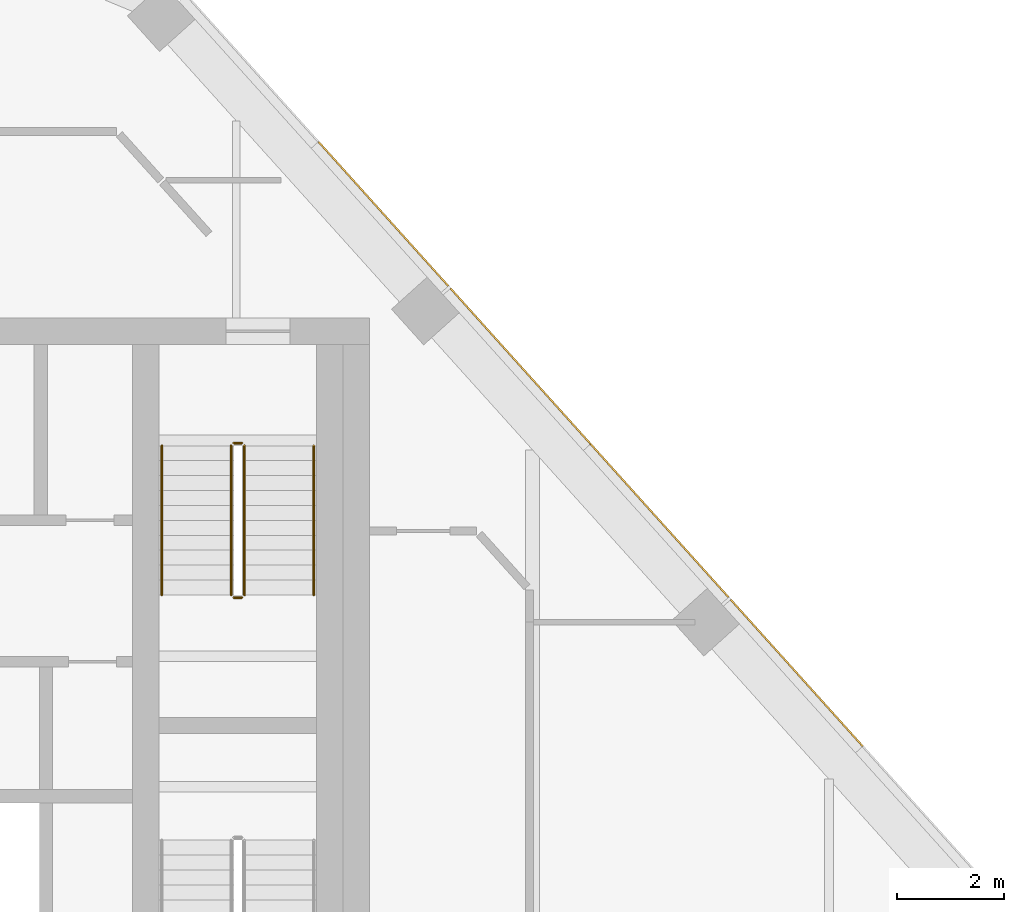
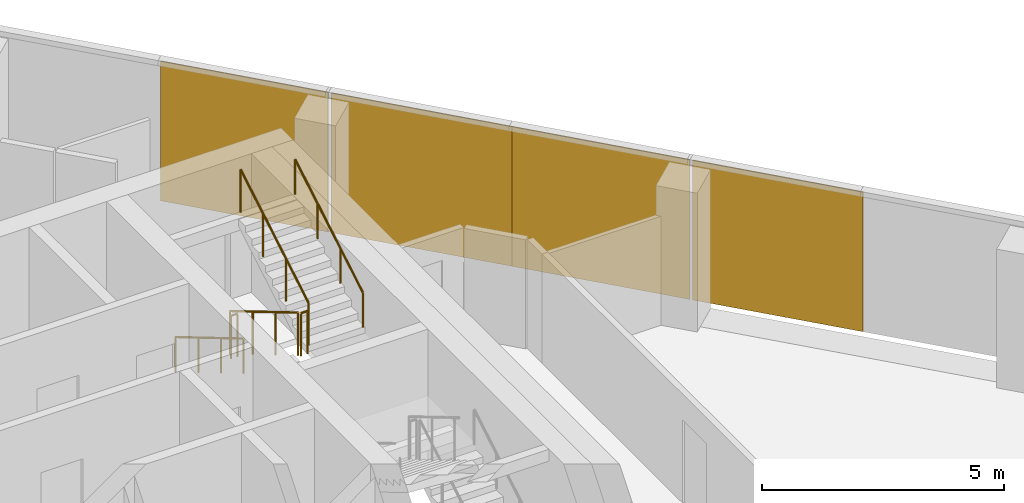
# One storey, part 15 of 15: 6 railings, 4 coverings, 1 element without a shape of its own.
"""IFC4 building model written with IfcOpenShell, lengths in metres."""

import ifcopenshell
import ifcopenshell.guid

model = None  # the IFC model being written
_history = None  # IfcOwnerHistory: only IFC2X3 demands one
_inside = {}  # id of a spatial element -> (the spatial element, [elements in it])
_under = {}  # id of a project, library or spatial element -> (it, [spatial elements below it])
_declared = {}  # id of a project -> (the project, [libraries it declares])
_typed = {}  # id of a type object -> (the type object, [elements of that type])
_made_of = {}  # id of a material, layer set ... -> (it, [elements and type objects made of it])


def new_model(schema):
    """Start an empty IFC model of exactly this schema.

    Asked for "IFC4X3", IfcOpenShell would pick the latest addendum, in which some entities
    have other attributes; the version numbers below select the first issue.
    IFC2X3 requires an IfcOwnerHistory on every rooted entity: one is made here for all.
    """
    global model, _history
    if schema == "IFC4X3":
        model = ifcopenshell.file(schema_version=(4, 3, 0, 0))
    else:
        model = ifcopenshell.file(schema=schema)
    _inside.clear()
    _under.clear()
    _declared.clear()
    _typed.clear()
    _made_of.clear()
    _history = None
    if model.schema == "IFC2X3":
        org = make("IfcOrganization", Name="unknown")
        user = make(
            "IfcPersonAndOrganization",
            ThePerson=make("IfcPerson", FamilyName="unknown"),
            TheOrganization=org,
        )
        app = make(
            "IfcApplication",
            ApplicationDeveloper=org,
            Version="unknown",
            ApplicationFullName="unknown",
            ApplicationIdentifier="unknown",
        )
        _history = make(
            "IfcOwnerHistory",
            OwningUser=user,
            OwningApplication=app,
            ChangeAction="ADDED",
            CreationDate=0,
        )
    return model


def make(cls, **values):
    """One entity of the class cls with the attributes given. An attribute that is None is left unset."""
    return model.create_entity(
        cls, **{name: value for name, value in values.items() if value is not None}
    )


def rooted(cls, **values):
    """An entity with a GlobalId (a new one), such as an element, a storey or a relation."""
    return make(cls, GlobalId=ifcopenshell.guid.new(), OwnerHistory=_history, **values)


def si_unit(unit_type, name, prefix=None):
    """IfcSIUnit, for example si_unit("LENGTHUNIT", "METRE", prefix="MILLI")."""
    return make("IfcSIUnit", UnitType=unit_type, Prefix=prefix, Name=name)


def assignment(units):
    """IfcUnitAssignment: the units of a project."""
    return None if units is None else make("IfcUnitAssignment", Units=units)


def point(xyz):
    """IfcCartesianPoint."""
    return None if xyz is None else make("IfcCartesianPoint", Coordinates=xyz)


def direction(xyz):
    """IfcDirection."""
    return None if xyz is None else make("IfcDirection", DirectionRatios=xyz)


def frame(location, z_axis=None, x_axis=None):
    """IfcAxis2Placement3D, a coordinate frame: its origin and axes. An axis left out is left unset."""
    return make(
        "IfcAxis2Placement3D",
        Location=point(location),
        Axis=direction(z_axis),
        RefDirection=direction(x_axis),
    )


def frame_2d(location, x_axis=None):
    """IfcAxis2Placement2D, a coordinate frame in the plane: its origin and x axis."""
    return make(
        "IfcAxis2Placement2D", Location=point(location), RefDirection=direction(x_axis)
    )


def origin():
    """The frame at (0, 0, 0) with its axes left unset."""
    return frame((0.0, 0.0, 0.0))


def origin_2d():
    """The frame at (0, 0) in the plane with its x axis left unset."""
    return frame_2d((0.0, 0.0))


def place(relative_to, where):
    """IfcLocalPlacement: puts the frame where relative to a parent placement (None: the world)."""
    return make(
        "IfcLocalPlacement", PlacementRelTo=relative_to, RelativePlacement=where
    )


def context(
    kind, dimensions, precision=None, world=None, true_north=None, identifier=None
):
    """IfcGeometricRepresentationContext, for example the 3D "Model" context."""
    return make(
        "IfcGeometricRepresentationContext",
        ContextIdentifier=identifier,
        ContextType=kind,
        CoordinateSpaceDimension=dimensions,
        Precision=precision,
        WorldCoordinateSystem=world,
        TrueNorth=true_north,
    )


def subcontext(parent, identifier, kind, view, scale=None):
    """IfcGeometricRepresentationSubContext, for example "Body" below "Model"."""
    return make(
        "IfcGeometricRepresentationSubContext",
        ContextIdentifier=identifier,
        ContextType=kind,
        ParentContext=parent,
        TargetScale=scale,
        TargetView=view,
    )


def project(units=None, contexts=None):
    """IfcProject with its units and contexts."""
    return rooted(
        "IfcProject",
        Name="project",
        RepresentationContexts=contexts,
        UnitsInContext=assignment(units),
    )


def spatial(cls, under=None, at=None, **own):
    """A site, building, storey or space (cls), placed at a placement, below another one or the project."""
    s = rooted(cls, ObjectPlacement=at, **own)
    if under is not None:
        _under.setdefault(under.id(), (under, []))[1].append(s)
    return s


def profile(cls, at=None, kind="AREA", **sizes):
    """A parametric profile (cls). Its sizes go by their IFC names, for example OverallWidth=200.0."""
    return make(cls, ProfileType=kind, Position=at, **sizes)


def rectangle(**sizes):
    """IfcRectangleProfileDef."""
    return profile("IfcRectangleProfileDef", **sizes)


def circle(**sizes):
    """IfcCircleProfileDef."""
    return profile("IfcCircleProfileDef", **sizes)


def extrude(swept, where, along, depth):
    """IfcExtrudedAreaSolid: the profile swept, set in the frame where, extruded along a direction by depth."""
    return make(
        "IfcExtrudedAreaSolid",
        SweptArea=swept,
        Position=where,
        ExtrudedDirection=direction(along),
        Depth=depth,
    )


def shape(context_of_items, identifier, shape_type, items):
    """IfcShapeRepresentation: the items that make up one representation, for example the "Body"."""
    return make(
        "IfcShapeRepresentation",
        ContextOfItems=context_of_items,
        RepresentationIdentifier=identifier,
        RepresentationType=shape_type,
        Items=items,
    )


def material(Name=None, Category=None):
    """IfcMaterial."""
    return make("IfcMaterial", Name=Name, Category=Category)


def layer(
    of_material, thickness, ventilated=None, Name=None, Category=None, Priority=None
):
    """IfcMaterialLayer: one layer of a wall or slab, of a material (None: an air gap)."""
    return make(
        "IfcMaterialLayer",
        Material=of_material,
        LayerThickness=thickness,
        IsVentilated=ventilated,
        Name=Name,
        Category=Category,
        Priority=Priority,
    )


def layer_set(layers, Name=None):
    """IfcMaterialLayerSet."""
    return make("IfcMaterialLayerSet", MaterialLayers=layers, LayerSetName=Name)


def made_of(thing, what):
    """Note that an element or type object is made of a material, layer set ...; save() writes the relation."""
    if what is not None:
        _made_of.setdefault(what.id(), (what, []))[1].append(thing)
    return thing


def type_object(cls, material=None, **own):
    """A type object (cls), such as IfcWallType, which elements share."""
    return made_of(rooted(cls, **own), material)


def element(
    cls,
    number,
    at=None,
    inside=None,
    cuts=None,
    type_object=None,
    material=None,
    context=None,
    identifier="Body",
    shape_type=None,
    held_by="IfcProductDefinitionShape",
    body=None,
    shapes=None,
    **own,
):
    """One element of the class cls, such as IfcWall. Its Tag is "e" and its number.

    at: its placement. inside: the storey or other place that contains it. cuts: it is an
    opening in that element (IfcRelVoidsElement). A single representation is given by context,
    identifier, shape_type and body (its items); several are given by shapes. held_by: the class
    of the entity that holds the representations. save() writes the other relations.
    """
    e = rooted(cls, Tag="e%d" % number, ObjectPlacement=at, **own)
    if body is not None:
        shapes = [shape(context, identifier, shape_type, body)]
    if shapes is not None:
        e.Representation = make(held_by, Representations=shapes)
    if inside is not None:
        _inside.setdefault(inside.id(), (inside, []))[1].append(e)
    if cuts is not None:
        rooted(
            "IfcRelVoidsElement", RelatingBuildingElement=cuts, RelatedOpeningElement=e
        )
    if type_object is not None:
        _typed.setdefault(type_object.id(), (type_object, []))[1].append(e)
    return made_of(e, material)


def aggregate(whole, parts):
    """IfcRelAggregates: a whole, such as a stair, and the parts it consists of."""
    return rooted("IfcRelAggregates", RelatingObject=whole, RelatedObjects=parts)


def save(model, path):
    """Write the relations noted so far, then the file.

    IfcRelAggregates (storeys below a building ...), IfcRelContainedInSpatialStructure (elements
    in a storey), IfcRelDefinesByType, IfcRelAssociatesMaterial and IfcRelDeclares: one each for
    every whole, place, type object, material and project.
    """
    for whole, parts in _under.values():
        aggregate(whole, parts)
    for where, things in _inside.values():
        rooted(
            "IfcRelContainedInSpatialStructure",
            RelatedElements=things,
            RelatingStructure=where,
        )
    for kind, things in _typed.values():
        rooted("IfcRelDefinesByType", RelatedObjects=things, RelatingType=kind)
    for what, things in _made_of.values():
        rooted("IfcRelAssociatesMaterial", RelatedObjects=things, RelatingMaterial=what)
    for by, libraries in _declared.values():
        rooted("IfcRelDeclares", RelatingContext=by, RelatedDefinitions=libraries)
    model.write(path)


model = new_model("IFC4")

# Units and contexts
model_context = context("Model", 3, precision=1e-05, world=origin(), true_north=direction((0.0, 1.0)))
body_context = subcontext(model_context, "Body", "Model", "MODEL_VIEW")
ifc_project = project(units=[si_unit("LENGTHUNIT", "METRE"), si_unit("AREAUNIT", "SQUARE_METRE"), si_unit("VOLUMEUNIT", "CUBIC_METRE"), si_unit("PLANEANGLEUNIT", "RADIAN"), si_unit("MASSUNIT", "GRAM", prefix="KILO")], contexts=[model_context])

# Site, building, storey
site_placement = place(None, origin())
site = spatial("IfcSite", under=ifc_project, at=site_placement, CompositionType="ELEMENT")
building_placement = place(site_placement, origin())
building = spatial("IfcBuilding", under=site, at=building_placement, Name="Isthmus Gate Tower", CompositionType="ELEMENT")
storey_placement = place(building_placement, frame((0.0, 0.0, 282.85009765625)))
storey = spatial("IfcBuildingStorey", under=building, at=storey_placement, Name="L72", CompositionType="ELEMENT", Elevation=282.85009765625)

# Curtain wall, coverings
ifc_material_1 = material(Name="Aluminium, pale champagne anodised", Category="aluminium")
ifc_layer_1 = layer(ifc_material_1, 0.199951171875)
ifc_layer_set_1 = layer_set([ifc_layer_1], Name="CW-1 UNITISED CURTAIN WALL 200 DEEP")
curtain_wall_type = type_object("IfcCurtainWallType", Name="CW-1 UNITISED CURTAIN WALL 200 DEEP", PredefinedType="NOTDEFINED", material=ifc_layer_set_1)
curtain_wall_placement = place(storey_placement, origin())
curtain_wall = element("IfcCurtainWall", 1, at=curtain_wall_placement, inside=storey, type_object=curtain_wall_type, Name="CW-1 NE L72", PredefinedType="NOTDEFINED")
ifc_material_2 = material(Name="Aluminium composite panel, pale champagne anodised", Category="aluminium")
ifc_layer_2 = layer(ifc_material_2, 0.031982421875)
ifc_layer_set_2 = layer_set([ifc_layer_2], Name="CW-1 PALE METAL PANEL 32")
covering_type = type_object("IfcCoveringType", Name="CW-1 PALE METAL PANEL 32", PredefinedType="CLADDING", material=ifc_layer_set_2)
covering_1_placement = place(storey_placement, frame((23.012939453125, 8.33837890625, 0.0), z_axis=(0.0, 0.0, 1.0), x_axis=(-0.669130606359, 0.743144825477, 0.0)))
covering_1 = element("IfcCovering", 2, at=covering_1_placement, type_object=covering_type, Name="CW-1 pale metal panel", PredefinedType="CLADDING", context=body_context, shape_type="SweptSolid", body=[
    extrude(rectangle(XDim=3.703369140625, YDim=0.031982421875, at=origin_2d()), origin(), (0.0, 0.0, 1.0), 3.52001953125),
])
covering_2_placement = place(storey_placement, frame((20.439453125, 11.196533203125, 0.0), z_axis=(0.0, 0.0, 1.0), x_axis=(-0.669130606359, 0.743144825477, 0.0)))
covering_2 = element("IfcCovering", 3, at=covering_2_placement, type_object=covering_type, Name="CW-1 pale metal panel", PredefinedType="CLADDING", context=body_context, shape_type="SweptSolid", body=[
    extrude(rectangle(XDim=3.868408203125, YDim=0.031982421875, at=origin_2d()), origin(), (0.0, 0.0, 1.0), 3.52001953125),
])
covering_3_placement = place(storey_placement, frame((17.8310546875, 14.093505859375, 0.0), z_axis=(0.0, 0.0, 1.0), x_axis=(-0.669130606359, 0.743144825477, 0.0)))
covering_3 = element("IfcCovering", 4, at=covering_3_placement, type_object=covering_type, Name="CW-1 pale metal panel", PredefinedType="CLADDING", context=body_context, shape_type="SweptSolid", body=[
    extrude(rectangle(XDim=3.928466796875, YDim=0.031982421875, at=origin_2d()), origin(), (0.0, 0.0, 1.0), 3.52001953125),
])
covering_4_placement = place(storey_placement, frame((15.257568359375, 16.95166015625, 0.0), z_axis=(0.0, 0.0, 1.0), x_axis=(-0.669130606359, 0.743144825477, 0.0)))
covering_4 = element("IfcCovering", 5, at=covering_4_placement, type_object=covering_type, Name="CW-1 pale metal panel", PredefinedType="CLADDING", context=body_context, shape_type="SweptSolid", body=[
    extrude(rectangle(XDim=3.643310546875, YDim=0.031982421875, at=origin_2d()), origin(), (0.0, 0.0, 1.0), 3.52001953125),
])
aggregate(curtain_wall, [covering_1, covering_2, covering_3, covering_4])

# Railings
ifc_material_3 = material(Name="Stainless steel balustrade", Category="steel")
railing_type_1 = type_object("IfcRailingType", Name="STAIR GUARD 1100", PredefinedType="GUARDRAIL", material=ifc_material_3)
railing_1_placement = place(storey_placement, frame((12.39990234375, 12.60009765625, 0.165771484375)))
element("IfcRailing", 6, at=railing_1_placement, inside=storey, type_object=railing_type_1, Name="L72 ST2 stair guard 1", PredefinedType="GUARDRAIL", context=body_context, shape_type="SweptSolid", body=[
    extrude(circle(Radius=0.02392578125, at=origin_2d()), frame((0.0, 0.0, 1.076171875), z_axis=(0.0, -0.860306154799, 0.50977771628), x_axis=(1.0, 0.0, 0.0)), (0.0, 0.0, 1.0), 3.254638671875),
    extrude(circle(Radius=0.02099609375, at=origin_2d()), origin(), (0.0, 0.0, 1.0), 1.052001953125),
    extrude(circle(Radius=0.02099609375, at=origin_2d()), frame((0.0, -0.933349609375, 0.552978515625)), (0.0, 0.0, 1.0), 1.052001953125),
    extrude(circle(Radius=0.02099609375, at=origin_2d()), frame((0.0, -1.86669921875, 1.106201171875)), (0.0, 0.0, 1.0), 1.052001953125),
    extrude(circle(Radius=0.02099609375, at=origin_2d()), frame((0.0, -2.800048828125, 1.6591796875)), (0.0, 0.0, 1.0), 1.052001953125),
])
railing_2_placement = place(storey_placement, frame((12.449951171875, 9.75, 1.824951171875)))
element("IfcRailing", 7, at=railing_2_placement, inside=storey, type_object=railing_type_1, Name="L72 ST2 stair guard 2", PredefinedType="GUARDRAIL", context=body_context, shape_type="SweptSolid", body=[
    extrude(circle(Radius=0.02392578125, at=origin_2d()), frame((0.0, 0.0, 1.076171875), z_axis=(1.0, 0.0, 0.0), x_axis=(0.0, 1.0, 0.0)), (0.0, 0.0, 1.0), 0.150146484375),
    extrude(circle(Radius=0.02099609375, at=origin_2d()), origin(), (0.0, 0.0, 1.0), 1.052001953125),
    extrude(circle(Radius=0.02099609375, at=origin_2d()), frame((0.150146484375, 0.0, 0.0)), (0.0, 0.0, 1.0), 1.052001953125),
])
railing_3_placement = place(storey_placement, frame((12.64990234375, 9.800048828125, 1.99072265625)))
element("IfcRailing", 8, at=railing_3_placement, inside=storey, type_object=railing_type_1, Name="L72 ST2 stair guard 3", PredefinedType="GUARDRAIL", context=body_context, shape_type="SweptSolid", body=[
    extrude(circle(Radius=0.02392578125, at=origin_2d()), frame((0.0, 0.0, 1.076171875), z_axis=(0.0, 0.860306154799, 0.50977771628), x_axis=(-1.0, 0.0, 0.0)), (0.0, 0.0, 1.0), 3.254638671875),
    extrude(circle(Radius=0.02099609375, at=origin_2d()), origin(), (0.0, 0.0, 1.0), 1.052001953125),
    extrude(circle(Radius=0.02099609375, at=origin_2d()), frame((0.0, 0.933349609375, 0.552978515625)), (0.0, 0.0, 1.0), 1.052001953125),
    extrude(circle(Radius=0.02099609375, at=origin_2d()), frame((0.0, 1.86669921875, 1.106201171875)), (0.0, 0.0, 1.0), 1.052001953125),
    extrude(circle(Radius=0.02099609375, at=origin_2d()), frame((0.0, 2.800048828125, 1.6591796875)), (0.0, 0.0, 1.0), 1.052001953125),
])
railing_4_placement = place(storey_placement, frame((12.449951171875, 12.64990234375, 0.0)))
element("IfcRailing", 9, at=railing_4_placement, inside=storey, type_object=railing_type_1, Name="L72 ST2 stair guard 4", PredefinedType="GUARDRAIL", context=body_context, shape_type="SweptSolid", body=[
    extrude(circle(Radius=0.02392578125, at=origin_2d()), frame((0.0, 0.0, 1.076171875), z_axis=(1.0, 0.0, 0.0), x_axis=(0.0, 1.0, 0.0)), (0.0, 0.0, 1.0), 0.150146484375),
    extrude(circle(Radius=0.02099609375, at=origin_2d()), origin(), (0.0, 0.0, 1.0), 1.052001953125),
    extrude(circle(Radius=0.02099609375, at=origin_2d()), frame((0.150146484375, 0.0, 0.0)), (0.0, 0.0, 1.0), 1.052001953125),
])
ifc_material_4 = material(Name="Stainless steel handrail", Category="steel")
railing_type_2 = type_object("IfcRailingType", Name="STAIR HANDRAIL 900", PredefinedType="HANDRAIL", material=ifc_material_4)
railing_5_placement = place(storey_placement, frame((11.10009765625, 12.60009765625, 0.165771484375)))
element("IfcRailing", 10, at=railing_5_placement, inside=storey, type_object=railing_type_2, Name="L72 ST2 stair handrail 1", PredefinedType="HANDRAIL", context=body_context, shape_type="SweptSolid", body=[
    extrude(circle(Radius=0.02392578125, at=origin_2d()), frame((0.0, 0.0, 0.8759765625), z_axis=(0.0, -0.860306154799, 0.50977771628), x_axis=(1.0, 0.0, 0.0)), (0.0, 0.0, 1.0), 3.254638671875),
    extrude(circle(Radius=0.02099609375, at=origin_2d()), origin(), (0.0, 0.0, 1.0), 0.851806640625),
    extrude(circle(Radius=0.02099609375, at=origin_2d()), frame((0.0, -0.933349609375, 0.552978515625)), (0.0, 0.0, 1.0), 0.851806640625),
    extrude(circle(Radius=0.02099609375, at=origin_2d()), frame((0.0, -1.86669921875, 1.106201171875)), (0.0, 0.0, 1.0), 0.851806640625),
    extrude(circle(Radius=0.02099609375, at=origin_2d()), frame((0.0, -2.800048828125, 1.6591796875)), (0.0, 0.0, 1.0), 0.851806640625),
])
railing_6_placement = place(storey_placement, frame((13.949951171875, 9.800048828125, 1.99072265625)))
element("IfcRailing", 11, at=railing_6_placement, inside=storey, type_object=railing_type_2, Name="L72 ST2 stair handrail 2", PredefinedType="HANDRAIL", context=body_context, shape_type="SweptSolid", body=[
    extrude(circle(Radius=0.02392578125, at=origin_2d()), frame((0.0, 0.0, 0.8759765625), z_axis=(0.0, 0.860306154799, 0.50977771628), x_axis=(-1.0, 0.0, 0.0)), (0.0, 0.0, 1.0), 3.254638671875),
    extrude(circle(Radius=0.02099609375, at=origin_2d()), origin(), (0.0, 0.0, 1.0), 0.851806640625),
    extrude(circle(Radius=0.02099609375, at=origin_2d()), frame((0.0, 0.933349609375, 0.552978515625)), (0.0, 0.0, 1.0), 0.851806640625),
    extrude(circle(Radius=0.02099609375, at=origin_2d()), frame((0.0, 1.86669921875, 1.106201171875)), (0.0, 0.0, 1.0), 0.851806640625),
    extrude(circle(Radius=0.02099609375, at=origin_2d()), frame((0.0, 2.800048828125, 1.6591796875)), (0.0, 0.0, 1.0), 0.851806640625),
])

save(model, "model.ifc")
